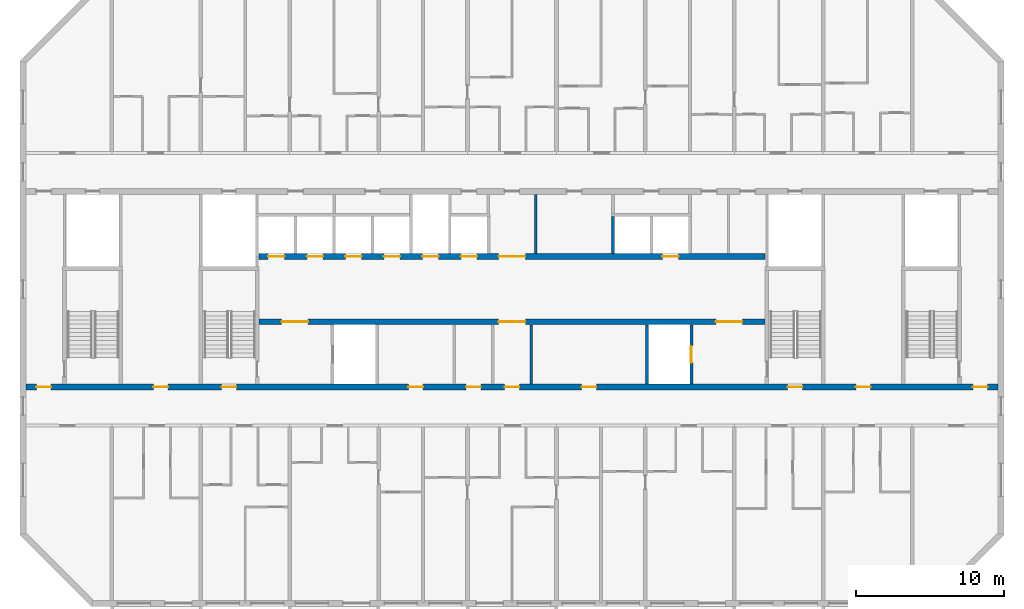
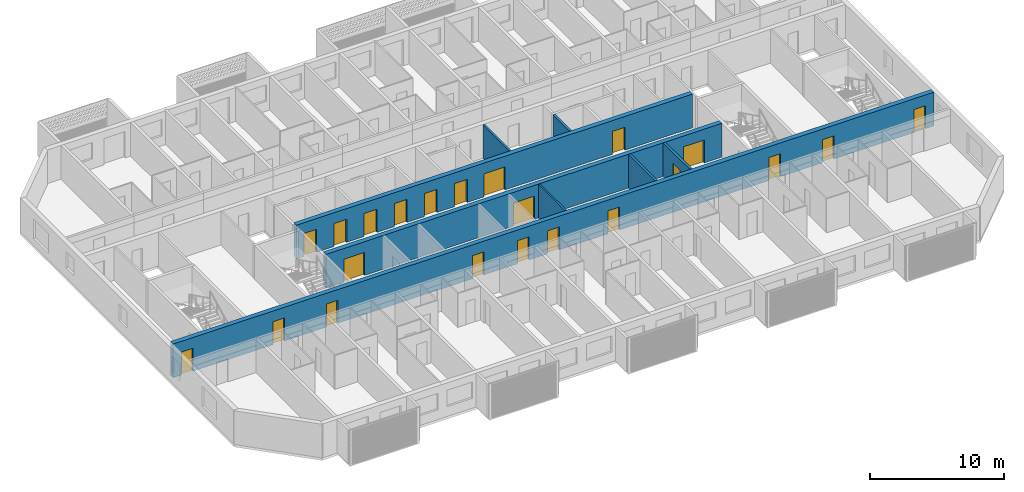
# One storey, part 6 of 26: 22 doors, 8 walls, 22 openings.
"""IFC4 building model written with IfcOpenShell, lengths in metres."""

from ifc_helpers import new_model, si_unit, direction, frame, frame_2d, origin, place, context, subcontext, project, spatial, rectangle, extrude, material, layer, layer_set, type_object, element, fill, save


model = new_model("IFC4")

# Units and contexts
model_context = context("Model", 3, precision=1e-05, world=origin(), true_north=direction((0.0, 1.0)))
body_context = subcontext(model_context, "Body", "Model", "MODEL_VIEW")
ifc_project = project(units=[si_unit("LENGTHUNIT", "METRE"), si_unit("AREAUNIT", "SQUARE_METRE"), si_unit("VOLUMEUNIT", "CUBIC_METRE"), si_unit("PLANEANGLEUNIT", "RADIAN"), si_unit("MASSUNIT", "GRAM", prefix="KILO")], contexts=[model_context])

# Site, building, storey
site_placement = place(None, origin())
site = spatial("IfcSite", under=ifc_project, at=site_placement, CompositionType="ELEMENT")
building_placement = place(site_placement, origin())
building = spatial("IfcBuilding", under=site, at=building_placement, Name="Poui Terraces", CompositionType="ELEMENT")
storey_placement = place(building_placement, frame((0.0, 0.0, 178.5)))
storey = spatial("IfcBuildingStorey", under=building, at=storey_placement, Name="L49", CompositionType="ELEMENT", Elevation=178.5)

# Wall, openings, doors
ifc_material_1 = material(Name="Concrete 50 MPa", Category="concrete")
ifc_layer_1 = layer(ifc_material_1, 0.39990234375)
ifc_layer_set_1 = layer_set([ifc_layer_1], Name="Concrete 50 MPa")
wall_type_1 = type_object("IfcWallType", Name="CORE WALL 400 50 MPA", PredefinedType="SOLIDWALL", material=ifc_layer_set_1)
wall_1_placement = place(storey_placement, frame((33.925048828125, 19.0, 0.0), z_axis=(0.0, 0.0, 1.0), x_axis=(1.0, 0.0, 0.0)))
wall_1 = element("IfcWall", 1, at=wall_1_placement, inside=storey, type_object=wall_type_1, Name="CORE WALL", PredefinedType="SOLIDWALL", context=body_context, shape_type="SweptSolid", body=[
    extrude(rectangle(XDim=34.14990234375, YDim=0.39990234375, at=frame_2d((17.074951171875, 0.0))), origin(), (0.0, 0.0, 1.0), 3.080078125),
])
opening_1_placement = place(wall_1_placement, frame((16.175048828125, 0.0, 0.0)))
opening_1 = element("IfcOpeningElement", 2, at=opening_1_placement, cuts=wall_1, Name="Opening FDD60", PredefinedType="OPENING", context=body_context, shape_type="SweptSolid", body=[
    extrude(rectangle(XDim=1.800048828125, YDim=2.10009765625, at=frame_2d((0.89990234375, 1.050048828125))), frame((0.0, 0.2099609375, 0.0), z_axis=(0.0, -1.0, 0.0), x_axis=(1.0, 0.0, 0.0)), (0.0, 0.0, 1.0), 0.419921875),
])
opening_2_placement = place(wall_1_placement, frame((1.52490234375, 0.0, 0.0)))
opening_2 = element("IfcOpeningElement", 3, at=opening_2_placement, cuts=wall_1, Name="Opening FDD60", PredefinedType="OPENING", context=body_context, shape_type="SweptSolid", body=[
    extrude(rectangle(XDim=1.800048828125, YDim=2.10009765625, at=frame_2d((0.89990234375, 1.050048828125))), frame((0.0, 0.2099609375, 0.0), z_axis=(0.0, -1.0, 0.0), x_axis=(1.0, 0.0, 0.0)), (0.0, 0.0, 1.0), 0.419921875),
])
opening_3_placement = place(wall_1_placement, frame((30.824951171875, 0.0, 0.0)))
opening_3 = element("IfcOpeningElement", 4, at=opening_3_placement, cuts=wall_1, Name="Opening FDD60", PredefinedType="OPENING", context=body_context, shape_type="SweptSolid", body=[
    extrude(rectangle(XDim=1.800048828125, YDim=2.10009765625, at=frame_2d((0.89990234375, 1.050048828125))), frame((0.0, 0.2099609375, 0.0), z_axis=(0.0, -1.0, 0.0), x_axis=(1.0, 0.0, 0.0)), (0.0, 0.0, 1.0), 0.419921875),
])
ifc_material_2 = material(Name="Steel fire door", Category="steel")
door_type_1 = type_object("IfcDoorType", Name="DOUBLE LOBBY FIRE DOOR 1800 X 2100", OperationType="DOUBLE_DOOR_SINGLE_SWING", PredefinedType="DOOR", material=ifc_material_2)
door_1_placement = place(opening_1_placement, frame((1.800048828125, 0.0, 0.0), z_axis=(0.0, 0.0, 1.0), x_axis=(-1.0, 0.0, 0.0)))
door_1 = element("IfcDoor", 5, at=door_1_placement, inside=storey, type_object=door_type_1, Name="DOUBLE LOBBY FIRE DOOR 100", OperationType="DOUBLE_DOOR_SINGLE_SWING", OverallHeight=2.10009765625, OverallWidth=1.800048828125, PredefinedType="DOOR", context=body_context, shape_type="SweptSolid", body=[
    extrude(rectangle(XDim=1.800048828125, YDim=2.10009765625, at=frame_2d((0.89990234375, 1.050048828125))), frame((0.0, 0.02490234375, 0.0), z_axis=(0.0, -1.0, 0.0), x_axis=(1.0, 0.0, 0.0)), (0.0, 0.0, 1.0), 0.050048828125),
])
fill(opening_1, door_1)
door_2_placement = place(opening_2_placement, origin())
door_2 = element("IfcDoor", 6, at=door_2_placement, inside=storey, type_object=door_type_1, Name="DOUBLE LOBBY FIRE DOOR 102", OperationType="DOUBLE_DOOR_SINGLE_SWING", OverallHeight=2.10009765625, OverallWidth=1.800048828125, PredefinedType="DOOR", context=body_context, shape_type="SweptSolid", body=[
    extrude(rectangle(XDim=1.800048828125, YDim=2.10009765625, at=frame_2d((0.89990234375, 1.050048828125))), frame((0.0, 0.02490234375, 0.0), z_axis=(0.0, -1.0, 0.0), x_axis=(1.0, 0.0, 0.0)), (0.0, 0.0, 1.0), 0.050048828125),
])
fill(opening_2, door_2)
door_3_placement = place(opening_3_placement, origin())
door_3 = element("IfcDoor", 7, at=door_3_placement, inside=storey, type_object=door_type_1, Name="DOUBLE LOBBY FIRE DOOR 109", OperationType="DOUBLE_DOOR_SINGLE_SWING", OverallHeight=2.10009765625, OverallWidth=1.800048828125, PredefinedType="DOOR", context=body_context, shape_type="SweptSolid", body=[
    extrude(rectangle(XDim=1.800048828125, YDim=2.10009765625, at=frame_2d((0.89990234375, 1.050048828125))), frame((0.0, 0.02490234375, 0.0), z_axis=(0.0, -1.0, 0.0), x_axis=(1.0, 0.0, 0.0)), (0.0, 0.0, 1.0), 0.050048828125),
])
fill(opening_3, door_3)

wall_2_placement = place(storey_placement, frame((33.925048828125, 23.39990234375, 0.0), z_axis=(0.0, 0.0, 1.0), x_axis=(1.0, 0.0, 0.0)))
wall_2 = element("IfcWall", 8, at=wall_2_placement, inside=storey, type_object=wall_type_1, Name="CORE WALL", PredefinedType="SOLIDWALL", context=body_context, shape_type="SweptSolid", body=[
    extrude(rectangle(XDim=34.14990234375, YDim=0.39990234375, at=frame_2d((17.074951171875, 0.0))), origin(), (0.0, 0.0, 1.0), 3.080078125),
])
opening_4_placement = place(wall_2_placement, frame((16.175048828125, 0.0, 0.0)))
opening_4 = element("IfcOpeningElement", 9, at=opening_4_placement, cuts=wall_2, Name="Opening FDD60", PredefinedType="OPENING", context=body_context, shape_type="SweptSolid", body=[
    extrude(rectangle(XDim=1.800048828125, YDim=2.10009765625, at=frame_2d((0.89990234375, 1.050048828125))), frame((0.0, 0.2099609375, 0.0), z_axis=(0.0, -1.0, 0.0), x_axis=(1.0, 0.0, 0.0)), (0.0, 0.0, 1.0), 0.419921875),
])
opening_5_placement = place(wall_2_placement, frame((0.625, 0.0, 0.0)))
opening_5 = element("IfcOpeningElement", 10, at=opening_5_placement, cuts=wall_2, Name="Opening LD", PredefinedType="OPENING", context=body_context, shape_type="SweptSolid", body=[
    extrude(rectangle(XDim=1.10009765625, YDim=2.10009765625, at=frame_2d((0.550048828125, 1.050048828125))), frame((0.0, 0.2099609375, 0.0), z_axis=(0.0, -1.0, 0.0), x_axis=(1.0, 0.0, 0.0)), (0.0, 0.0, 1.0), 0.419921875),
])
opening_6_placement = place(wall_2_placement, frame((3.22509765625, 0.0, 0.0)))
opening_6 = element("IfcOpeningElement", 11, at=opening_6_placement, cuts=wall_2, Name="Opening LD", PredefinedType="OPENING", context=body_context, shape_type="SweptSolid", body=[
    extrude(rectangle(XDim=1.10009765625, YDim=2.10009765625, at=frame_2d((0.550048828125, 1.050048828125))), frame((0.0, 0.2099609375, 0.0), z_axis=(0.0, -1.0, 0.0), x_axis=(1.0, 0.0, 0.0)), (0.0, 0.0, 1.0), 0.419921875),
])
opening_7_placement = place(wall_2_placement, frame((5.824951171875, 0.0, 0.0)))
opening_7 = element("IfcOpeningElement", 12, at=opening_7_placement, cuts=wall_2, Name="Opening LD", PredefinedType="OPENING", context=body_context, shape_type="SweptSolid", body=[
    extrude(rectangle(XDim=1.10009765625, YDim=2.10009765625, at=frame_2d((0.550048828125, 1.050048828125))), frame((0.0, 0.2099609375, 0.0), z_axis=(0.0, -1.0, 0.0), x_axis=(1.0, 0.0, 0.0)), (0.0, 0.0, 1.0), 0.419921875),
])
opening_8_placement = place(wall_2_placement, frame((8.425048828125, 0.0, 0.0)))
opening_8 = element("IfcOpeningElement", 13, at=opening_8_placement, cuts=wall_2, Name="Opening LD", PredefinedType="OPENING", context=body_context, shape_type="SweptSolid", body=[
    extrude(rectangle(XDim=1.10009765625, YDim=2.10009765625, at=frame_2d((0.550048828125, 1.050048828125))), frame((0.0, 0.2099609375, 0.0), z_axis=(0.0, -1.0, 0.0), x_axis=(1.0, 0.0, 0.0)), (0.0, 0.0, 1.0), 0.419921875),
])
opening_9_placement = place(wall_2_placement, frame((11.02490234375, 0.0, 0.0)))
opening_9 = element("IfcOpeningElement", 14, at=opening_9_placement, cuts=wall_2, Name="Opening LD", PredefinedType="OPENING", context=body_context, shape_type="SweptSolid", body=[
    extrude(rectangle(XDim=1.10009765625, YDim=2.10009765625, at=frame_2d((0.550048828125, 1.050048828125))), frame((0.0, 0.2099609375, 0.0), z_axis=(0.0, -1.0, 0.0), x_axis=(1.0, 0.0, 0.0)), (0.0, 0.0, 1.0), 0.419921875),
])
opening_10_placement = place(wall_2_placement, frame((13.625, 0.0, 0.0)))
opening_10 = element("IfcOpeningElement", 15, at=opening_10_placement, cuts=wall_2, Name="Opening LD", PredefinedType="OPENING", context=body_context, shape_type="SweptSolid", body=[
    extrude(rectangle(XDim=1.10009765625, YDim=2.10009765625, at=frame_2d((0.550048828125, 1.050048828125))), frame((0.0, 0.2099609375, 0.0), z_axis=(0.0, -1.0, 0.0), x_axis=(1.0, 0.0, 0.0)), (0.0, 0.0, 1.0), 0.419921875),
])
opening_11_placement = place(wall_2_placement, frame((27.22509765625, 0.0, 0.0)))
opening_11 = element("IfcOpeningElement", 16, at=opening_11_placement, cuts=wall_2, Name="Opening LD", PredefinedType="OPENING", context=body_context, shape_type="SweptSolid", body=[
    extrude(rectangle(XDim=1.10009765625, YDim=2.10009765625, at=frame_2d((0.550048828125, 1.050048828125))), frame((0.0, 0.2099609375, 0.0), z_axis=(0.0, -1.0, 0.0), x_axis=(1.0, 0.0, 0.0)), (0.0, 0.0, 1.0), 0.419921875),
])
door_4_placement = place(opening_4_placement, origin())
door_4 = element("IfcDoor", 17, at=door_4_placement, inside=storey, type_object=door_type_1, Name="DOUBLE LOBBY FIRE DOOR 099", OperationType="DOUBLE_DOOR_SINGLE_SWING", OverallHeight=2.10009765625, OverallWidth=1.800048828125, PredefinedType="DOOR", context=body_context, shape_type="SweptSolid", body=[
    extrude(rectangle(XDim=1.800048828125, YDim=2.10009765625, at=frame_2d((0.89990234375, 1.050048828125))), frame((0.0, 0.02490234375, 0.0), z_axis=(0.0, -1.0, 0.0), x_axis=(1.0, 0.0, 0.0)), (0.0, 0.0, 1.0), 0.050048828125),
])
fill(opening_4, door_4)
ifc_material_3 = material(Name="Stainless steel sliding door", Category="steel")
door_type_2 = type_object("IfcDoorType", Name="LIFT LANDING DOOR 1100 X 2100", OperationType="DOUBLE_DOOR_SLIDING", PredefinedType="DOOR", material=ifc_material_3)
door_5_placement = place(opening_5_placement, origin())
door_5 = element("IfcDoor", 18, at=door_5_placement, inside=storey, type_object=door_type_2, Name="LANDING DOOR", OperationType="DOUBLE_DOOR_SLIDING", OverallHeight=2.10009765625, OverallWidth=1.10009765625, PredefinedType="DOOR", context=body_context, shape_type="SweptSolid", body=[
    extrude(rectangle(XDim=1.10009765625, YDim=2.10009765625, at=frame_2d((0.550048828125, 1.050048828125))), frame((0.0, 0.02490234375, 0.0), z_axis=(0.0, -1.0, 0.0), x_axis=(1.0, 0.0, 0.0)), (0.0, 0.0, 1.0), 0.050048828125),
])
fill(opening_5, door_5)
door_6_placement = place(opening_6_placement, origin())
door_6 = element("IfcDoor", 19, at=door_6_placement, inside=storey, type_object=door_type_2, Name="LANDING DOOR", OperationType="DOUBLE_DOOR_SLIDING", OverallHeight=2.10009765625, OverallWidth=1.10009765625, PredefinedType="DOOR", context=body_context, shape_type="SweptSolid", body=[
    extrude(rectangle(XDim=1.10009765625, YDim=2.10009765625, at=frame_2d((0.550048828125, 1.050048828125))), frame((0.0, 0.02490234375, 0.0), z_axis=(0.0, -1.0, 0.0), x_axis=(1.0, 0.0, 0.0)), (0.0, 0.0, 1.0), 0.050048828125),
])
fill(opening_6, door_6)
door_7_placement = place(opening_7_placement, origin())
door_7 = element("IfcDoor", 20, at=door_7_placement, inside=storey, type_object=door_type_2, Name="LANDING DOOR", OperationType="DOUBLE_DOOR_SLIDING", OverallHeight=2.10009765625, OverallWidth=1.10009765625, PredefinedType="DOOR", context=body_context, shape_type="SweptSolid", body=[
    extrude(rectangle(XDim=1.10009765625, YDim=2.10009765625, at=frame_2d((0.550048828125, 1.050048828125))), frame((0.0, 0.02490234375, 0.0), z_axis=(0.0, -1.0, 0.0), x_axis=(1.0, 0.0, 0.0)), (0.0, 0.0, 1.0), 0.050048828125),
])
fill(opening_7, door_7)
door_8_placement = place(opening_8_placement, origin())
door_8 = element("IfcDoor", 21, at=door_8_placement, inside=storey, type_object=door_type_2, Name="LANDING DOOR", OperationType="DOUBLE_DOOR_SLIDING", OverallHeight=2.10009765625, OverallWidth=1.10009765625, PredefinedType="DOOR", context=body_context, shape_type="SweptSolid", body=[
    extrude(rectangle(XDim=1.10009765625, YDim=2.10009765625, at=frame_2d((0.550048828125, 1.050048828125))), frame((0.0, 0.02490234375, 0.0), z_axis=(0.0, -1.0, 0.0), x_axis=(1.0, 0.0, 0.0)), (0.0, 0.0, 1.0), 0.050048828125),
])
fill(opening_8, door_8)
door_9_placement = place(opening_9_placement, origin())
door_9 = element("IfcDoor", 22, at=door_9_placement, inside=storey, type_object=door_type_2, Name="LANDING DOOR", OperationType="DOUBLE_DOOR_SLIDING", OverallHeight=2.10009765625, OverallWidth=1.10009765625, PredefinedType="DOOR", context=body_context, shape_type="SweptSolid", body=[
    extrude(rectangle(XDim=1.10009765625, YDim=2.10009765625, at=frame_2d((0.550048828125, 1.050048828125))), frame((0.0, 0.02490234375, 0.0), z_axis=(0.0, -1.0, 0.0), x_axis=(1.0, 0.0, 0.0)), (0.0, 0.0, 1.0), 0.050048828125),
])
fill(opening_9, door_9)
door_10_placement = place(opening_10_placement, origin())
door_10 = element("IfcDoor", 23, at=door_10_placement, inside=storey, type_object=door_type_2, Name="LANDING DOOR", OperationType="DOUBLE_DOOR_SLIDING", OverallHeight=2.10009765625, OverallWidth=1.10009765625, PredefinedType="DOOR", context=body_context, shape_type="SweptSolid", body=[
    extrude(rectangle(XDim=1.10009765625, YDim=2.10009765625, at=frame_2d((0.550048828125, 1.050048828125))), frame((0.0, 0.02490234375, 0.0), z_axis=(0.0, -1.0, 0.0), x_axis=(1.0, 0.0, 0.0)), (0.0, 0.0, 1.0), 0.050048828125),
])
fill(opening_10, door_10)
door_11_placement = place(opening_11_placement, origin())
door_11 = element("IfcDoor", 24, at=door_11_placement, inside=storey, type_object=door_type_2, Name="LANDING DOOR", OperationType="DOUBLE_DOOR_SLIDING", OverallHeight=2.10009765625, OverallWidth=1.10009765625, PredefinedType="DOOR", context=body_context, shape_type="SweptSolid", body=[
    extrude(rectangle(XDim=1.10009765625, YDim=2.10009765625, at=frame_2d((0.550048828125, 1.050048828125))), frame((0.0, 0.02490234375, 0.0), z_axis=(0.0, -1.0, 0.0), x_axis=(1.0, 0.0, 0.0)), (0.0, 0.0, 1.0), 0.050048828125),
])
fill(opening_11, door_11)

# Walls
ifc_material_4 = material(Name="Fire-rated plasterboard wall")
ifc_layer_2 = layer(ifc_material_4, 0.14990234375)
ifc_layer_set_2 = layer_set([ifc_layer_2], Name="Fire-rated plasterboard wall")
wall_type_2 = type_object("IfcWallType", Name="CORRIDOR WALL 150", PredefinedType="PARTITIONING", material=ifc_layer_set_2)
for number, where, z_axis, x_axis, name in (
    (25, (52.300048828125, 14.81005859375, 0.0), (0.0, 0.0, 1.0), (0.0, 1.0, 0.0), "CORRIDOR WALL 150"),
    (26, (52.60009765625, 23.610107421875, 0.0), (0.0, 0.0, 1.0), (0.0, 1.0, 0.0), "CORRIDOR WALL 150"),
):
    element("IfcWall", number, at=place(storey_placement, frame(where, z_axis=z_axis, x_axis=x_axis)), inside=storey, type_object=wall_type_2, Name=name, PredefinedType="PARTITIONING", context=body_context, shape_type="SweptSolid", body=[
        extrude(rectangle(XDim=3.97998046875, YDim=0.14990234375, at=frame_2d((1.989990234375, 0.0))), origin(), (0.0, 0.0, 1.0), 3.080078125),
    ])
ifc_material_5 = material(Name="Fire-rated masonry shaft wall", Category="masonry")
ifc_layer_3 = layer(ifc_material_5, 0.199951171875)
ifc_layer_set_3 = layer_set([ifc_layer_3], Name="Fire-rated masonry shaft wall")
wall_type_3 = type_object("IfcWallType", Name="SHAFT WALL 200", PredefinedType="PARTITIONING", material=ifc_layer_set_3)
wall_3_placement = place(storey_placement, frame((57.800048828125, 23.610107421875, 0.0), z_axis=(0.0, 0.0, 1.0), x_axis=(0.0, 1.0, 0.0)))
element("IfcWall", 27, at=wall_3_placement, inside=storey, type_object=wall_type_3, Name="SHAFT WALL 200", PredefinedType="PARTITIONING", context=body_context, shape_type="SweptSolid", body=[
    extrude(rectangle(XDim=2.489990234375, YDim=0.199951171875, at=frame_2d((1.2451171875, 0.0))), origin(), (0.0, 0.0, 1.0), 3.080078125),
])
wall_4_placement = place(storey_placement, frame((60.10009765625, 14.81005859375, 0.0), z_axis=(0.0, 0.0, 1.0), x_axis=(0.0, 1.0, 0.0)))
element("IfcWall", 28, at=wall_4_placement, inside=storey, type_object=wall_type_3, Name="SHAFT WALL 200", PredefinedType="PARTITIONING", context=body_context, shape_type="SweptSolid", body=[
    extrude(rectangle(XDim=3.97998046875, YDim=0.199951171875, at=frame_2d((1.989990234375, 0.0))), origin(), (0.0, 0.0, 1.0), 3.080078125),
])

# Wall, opening, door
wall_5_placement = place(storey_placement, frame((63.10009765625, 14.81005859375, 0.0), z_axis=(0.0, 0.0, 1.0), x_axis=(0.0, 1.0, 0.0)))
wall_5 = element("IfcWall", 29, at=wall_5_placement, inside=storey, type_object=wall_type_3, Name="SHAFT WALL 200", PredefinedType="PARTITIONING", context=body_context, shape_type="SweptSolid", body=[
    extrude(rectangle(XDim=3.97998046875, YDim=0.199951171875, at=frame_2d((1.989990234375, 0.0))), origin(), (0.0, 0.0, 1.0), 3.080078125),
])
opening_12_placement = place(wall_5_placement, frame((1.43994140625, 0.0, 0.0)))
opening_12 = element("IfcOpeningElement", 30, at=opening_12_placement, cuts=wall_5, Name="Opening LD", PredefinedType="OPENING", context=body_context, shape_type="SweptSolid", body=[
    extrude(rectangle(XDim=1.10009765625, YDim=2.10009765625, at=frame_2d((0.550048828125, 1.050048828125))), frame((0.0, 0.10986328125, 0.0), z_axis=(0.0, -1.0, 0.0), x_axis=(1.0, 0.0, 0.0)), (0.0, 0.0, 1.0), 0.219970703125),
])
door_12_placement = place(opening_12_placement, origin())
door_12 = element("IfcDoor", 31, at=door_12_placement, inside=storey, type_object=door_type_2, Name="LANDING DOOR", OperationType="DOUBLE_DOOR_SLIDING", OverallHeight=2.10009765625, OverallWidth=1.10009765625, PredefinedType="DOOR", context=body_context, shape_type="SweptSolid", body=[
    extrude(rectangle(XDim=1.10009765625, YDim=2.10009765625, at=frame_2d((0.550048828125, 1.050048828125))), frame((0.0, 0.02490234375, 0.0), z_axis=(0.0, -1.0, 0.0), x_axis=(1.0, 0.0, 0.0)), (0.0, 0.0, 1.0), 0.050048828125),
])
fill(opening_12, door_12)

# Wall, openings, doors
ifc_layer_4 = layer(ifc_material_1, 0.39990234375)
ifc_layer_set_4 = layer_set([ifc_layer_4], Name="Concrete 50 MPa")
wall_type_4 = type_object("IfcWallType", Name="SPINE WALL 400 50 MPA", PredefinedType="SOLIDWALL", material=ifc_layer_set_4)
wall_6_placement = place(storey_placement, frame((18.199951171875, 14.60009765625, 0.0), z_axis=(0.0, 0.0, 1.0), x_axis=(1.0, 0.0, 0.0)))
wall_6 = element("IfcWall", 32, at=wall_6_placement, inside=storey, type_object=wall_type_4, Name="SPINE WALL", PredefinedType="SOLIDWALL", context=body_context, shape_type="SweptSolid", body=[
    extrude(rectangle(XDim=65.60009765625, YDim=0.39990234375, at=frame_2d((32.800048828125, 0.0))), origin(), (0.0, 0.0, 1.0), 3.080078125),
])
opening_13_placement = place(wall_6_placement, frame((0.699951171875, 0.0, 0.0)))
opening_13 = element("IfcOpeningElement", 33, at=opening_13_placement, cuts=wall_6, Name="Opening FDL", PredefinedType="OPENING", context=body_context, shape_type="SweptSolid", body=[
    extrude(rectangle(XDim=1.0, YDim=2.10009765625, at=frame_2d((0.5, 1.050048828125))), frame((0.0, 0.2099609375, 0.0), z_axis=(0.0, -1.0, 0.0), x_axis=(1.0, 0.0, 0.0)), (0.0, 0.0, 1.0), 0.419921875),
])
opening_14_placement = place(wall_6_placement, frame((8.60009765625, 0.0, 0.0)))
opening_14 = element("IfcOpeningElement", 34, at=opening_14_placement, cuts=wall_6, Name="Opening D100", PredefinedType="OPENING", context=body_context, shape_type="SweptSolid", body=[
    extrude(rectangle(XDim=1.0, YDim=2.10009765625, at=frame_2d((0.5, 1.050048828125))), frame((0.0, 0.2099609375, 0.0), z_axis=(0.0, -1.0, 0.0), x_axis=(1.0, 0.0, 0.0)), (0.0, 0.0, 1.0), 0.419921875),
])
opening_15_placement = place(wall_6_placement, frame((13.199951171875, 0.0, 0.0)))
opening_15 = element("IfcOpeningElement", 35, at=opening_15_placement, cuts=wall_6, Name="Opening FD60S", PredefinedType="OPENING", context=body_context, shape_type="SweptSolid", body=[
    extrude(rectangle(XDim=1.0, YDim=2.10009765625, at=frame_2d((0.5, 1.050048828125))), frame((0.0, 0.2099609375, 0.0), z_axis=(0.0, -1.0, 0.0), x_axis=(1.0, 0.0, 0.0)), (0.0, 0.0, 1.0), 0.419921875),
])
opening_16_placement = place(wall_6_placement, frame((25.800048828125, 0.0, 0.0)))
opening_16 = element("IfcOpeningElement", 36, at=opening_16_placement, cuts=wall_6, Name="Opening FD60", PredefinedType="OPENING", context=body_context, shape_type="SweptSolid", body=[
    extrude(rectangle(XDim=1.0, YDim=2.10009765625, at=frame_2d((0.5, 1.050048828125))), frame((0.0, 0.2099609375, 0.0), z_axis=(0.0, -1.0, 0.0), x_axis=(1.0, 0.0, 0.0)), (0.0, 0.0, 1.0), 0.419921875),
])
opening_17_placement = place(wall_6_placement, frame((29.699951171875, 0.0, 0.0)))
opening_17 = element("IfcOpeningElement", 37, at=opening_17_placement, cuts=wall_6, Name="Opening FD60", PredefinedType="OPENING", context=body_context, shape_type="SweptSolid", body=[
    extrude(rectangle(XDim=1.0, YDim=2.10009765625, at=frame_2d((0.5, 1.050048828125))), frame((0.0, 0.2099609375, 0.0), z_axis=(0.0, -1.0, 0.0), x_axis=(1.0, 0.0, 0.0)), (0.0, 0.0, 1.0), 0.419921875),
])
opening_18_placement = place(wall_6_placement, frame((32.300048828125, 0.0, 0.0)))
opening_18 = element("IfcOpeningElement", 38, at=opening_18_placement, cuts=wall_6, Name="Opening FDL", PredefinedType="OPENING", context=body_context, shape_type="SweptSolid", body=[
    extrude(rectangle(XDim=1.0, YDim=2.10009765625, at=frame_2d((0.5, 1.050048828125))), frame((0.0, 0.2099609375, 0.0), z_axis=(0.0, -1.0, 0.0), x_axis=(1.0, 0.0, 0.0)), (0.0, 0.0, 1.0), 0.419921875),
])
opening_19_placement = place(wall_6_placement, frame((37.5, 0.0, 0.0)))
opening_19 = element("IfcOpeningElement", 39, at=opening_19_placement, cuts=wall_6, Name="Opening FD60", PredefinedType="OPENING", context=body_context, shape_type="SweptSolid", body=[
    extrude(rectangle(XDim=1.0, YDim=2.10009765625, at=frame_2d((0.5, 1.050048828125))), frame((0.0, 0.2099609375, 0.0), z_axis=(0.0, -1.0, 0.0), x_axis=(1.0, 0.0, 0.0)), (0.0, 0.0, 1.0), 0.419921875),
])
opening_20_placement = place(wall_6_placement, frame((51.39990234375, 0.0, 0.0)))
opening_20 = element("IfcOpeningElement", 40, at=opening_20_placement, cuts=wall_6, Name="Opening FD60S", PredefinedType="OPENING", context=body_context, shape_type="SweptSolid", body=[
    extrude(rectangle(XDim=1.0, YDim=2.10009765625, at=frame_2d((0.5, 1.050048828125))), frame((0.0, 0.2099609375, 0.0), z_axis=(0.0, -1.0, 0.0), x_axis=(1.0, 0.0, 0.0)), (0.0, 0.0, 1.0), 0.419921875),
])
opening_21_placement = place(wall_6_placement, frame((56.0, 0.0, 0.0)))
opening_21 = element("IfcOpeningElement", 41, at=opening_21_placement, cuts=wall_6, Name="Opening D100", PredefinedType="OPENING", context=body_context, shape_type="SweptSolid", body=[
    extrude(rectangle(XDim=1.0, YDim=2.10009765625, at=frame_2d((0.5, 1.050048828125))), frame((0.0, 0.2099609375, 0.0), z_axis=(0.0, -1.0, 0.0), x_axis=(1.0, 0.0, 0.0)), (0.0, 0.0, 1.0), 0.419921875),
])
opening_22_placement = place(wall_6_placement, frame((63.89990234375, 0.0, 0.0)))
opening_22 = element("IfcOpeningElement", 42, at=opening_22_placement, cuts=wall_6, Name="Opening FDL", PredefinedType="OPENING", context=body_context, shape_type="SweptSolid", body=[
    extrude(rectangle(XDim=1.0, YDim=2.10009765625, at=frame_2d((0.5, 1.050048828125))), frame((0.0, 0.2099609375, 0.0), z_axis=(0.0, -1.0, 0.0), x_axis=(1.0, 0.0, 0.0)), (0.0, 0.0, 1.0), 0.419921875),
])
ifc_material_6 = material(Name="Solid core timber door", Category="wood")
door_type_3 = type_object("IfcDoorType", Name="ACCESSIBLE INTERNAL DOOR 1000 X 2100", OperationType="NOTDEFINED", PredefinedType="DOOR", material=ifc_material_6)
door_13_placement = place(opening_14_placement, frame((1.0, 0.0, 0.0), z_axis=(0.0, 0.0, 1.0), x_axis=(-1.0, 0.0, 0.0)))
door_13 = element("IfcDoor", 43, at=door_13_placement, inside=storey, type_object=door_type_3, Name="ACCESSIBLE INTERNAL DOOR 016", OperationType="SINGLE_SWING_LEFT", OverallHeight=2.10009765625, OverallWidth=1.0, PredefinedType="DOOR", context=body_context, shape_type="SweptSolid", body=[
    extrude(rectangle(XDim=1.0, YDim=2.10009765625, at=frame_2d((0.5, 1.050048828125))), frame((0.0, 0.02490234375, 0.0), z_axis=(0.0, -1.0, 0.0), x_axis=(1.0, 0.0, 0.0)), (0.0, 0.0, 1.0), 0.050048828125),
])
fill(opening_14, door_13)
door_14_placement = place(opening_21_placement, frame((1.0, 0.0, 0.0), z_axis=(0.0, 0.0, 1.0), x_axis=(-1.0, 0.0, 0.0)))
door_14 = element("IfcDoor", 44, at=door_14_placement, inside=storey, type_object=door_type_3, Name="ACCESSIBLE INTERNAL DOOR 023", OperationType="SINGLE_SWING_RIGHT", OverallHeight=2.10009765625, OverallWidth=1.0, PredefinedType="DOOR", context=body_context, shape_type="SweptSolid", body=[
    extrude(rectangle(XDim=1.0, YDim=2.10009765625, at=frame_2d((0.5, 1.050048828125))), frame((0.0, 0.02490234375, 0.0), z_axis=(0.0, -1.0, 0.0), x_axis=(1.0, 0.0, 0.0)), (0.0, 0.0, 1.0), 0.050048828125),
])
fill(opening_21, door_14)
door_type_4 = type_object("IfcDoorType", Name="LOBBY FIRE DOOR 1000 X 2100", OperationType="NOTDEFINED", PredefinedType="DOOR", material=ifc_material_2)
door_15_placement = place(opening_13_placement, frame((1.0, 0.0, 0.0), z_axis=(0.0, 0.0, 1.0), x_axis=(-1.0, 0.0, 0.0)))
door_15 = element("IfcDoor", 45, at=door_15_placement, inside=storey, type_object=door_type_4, Name="LOBBY FIRE DOOR 015", OperationType="SINGLE_SWING_RIGHT", OverallHeight=2.10009765625, OverallWidth=1.0, PredefinedType="DOOR", context=body_context, shape_type="SweptSolid", body=[
    extrude(rectangle(XDim=1.0, YDim=2.10009765625, at=frame_2d((0.5, 1.050048828125))), frame((0.0, 0.02490234375, 0.0), z_axis=(0.0, -1.0, 0.0), x_axis=(1.0, 0.0, 0.0)), (0.0, 0.0, 1.0), 0.050048828125),
])
fill(opening_13, door_15)
door_16_placement = place(opening_18_placement, frame((1.0, 0.0, 0.0), z_axis=(0.0, 0.0, 1.0), x_axis=(-1.0, 0.0, 0.0)))
door_16 = element("IfcDoor", 46, at=door_16_placement, inside=storey, type_object=door_type_4, Name="LOBBY FIRE DOOR 020", OperationType="SINGLE_SWING_LEFT", OverallHeight=2.10009765625, OverallWidth=1.0, PredefinedType="DOOR", context=body_context, shape_type="SweptSolid", body=[
    extrude(rectangle(XDim=1.0, YDim=2.10009765625, at=frame_2d((0.5, 1.050048828125))), frame((0.0, 0.02490234375, 0.0), z_axis=(0.0, -1.0, 0.0), x_axis=(1.0, 0.0, 0.0)), (0.0, 0.0, 1.0), 0.050048828125),
])
fill(opening_18, door_16)
door_17_placement = place(opening_22_placement, frame((1.0, 0.0, 0.0), z_axis=(0.0, 0.0, 1.0), x_axis=(-1.0, 0.0, 0.0)))
door_17 = element("IfcDoor", 47, at=door_17_placement, inside=storey, type_object=door_type_4, Name="LOBBY FIRE DOOR 024", OperationType="SINGLE_SWING_LEFT", OverallHeight=2.10009765625, OverallWidth=1.0, PredefinedType="DOOR", context=body_context, shape_type="SweptSolid", body=[
    extrude(rectangle(XDim=1.0, YDim=2.10009765625, at=frame_2d((0.5, 1.050048828125))), frame((0.0, 0.02490234375, 0.0), z_axis=(0.0, -1.0, 0.0), x_axis=(1.0, 0.0, 0.0)), (0.0, 0.0, 1.0), 0.050048828125),
])
fill(opening_22, door_17)
door_type_5 = type_object("IfcDoorType", Name="SERVICE ROOM FIRE DOOR 1000 X 2100", OperationType="NOTDEFINED", PredefinedType="DOOR", material=ifc_material_2)
door_18_placement = place(opening_16_placement, frame((1.0, 0.0, 0.0), z_axis=(0.0, 0.0, 1.0), x_axis=(-1.0, 0.0, 0.0)))
door_18 = element("IfcDoor", 48, at=door_18_placement, inside=storey, type_object=door_type_5, Name="SERVICE ROOM FIRE DOOR 018", OperationType="SINGLE_SWING_LEFT", OverallHeight=2.10009765625, OverallWidth=1.0, PredefinedType="DOOR", context=body_context, shape_type="SweptSolid", body=[
    extrude(rectangle(XDim=1.0, YDim=2.10009765625, at=frame_2d((0.5, 1.050048828125))), frame((0.0, 0.02490234375, 0.0), z_axis=(0.0, -1.0, 0.0), x_axis=(1.0, 0.0, 0.0)), (0.0, 0.0, 1.0), 0.050048828125),
])
fill(opening_16, door_18)
door_19_placement = place(opening_17_placement, frame((1.0, 0.0, 0.0), z_axis=(0.0, 0.0, 1.0), x_axis=(-1.0, 0.0, 0.0)))
door_19 = element("IfcDoor", 49, at=door_19_placement, inside=storey, type_object=door_type_5, Name="SERVICE ROOM FIRE DOOR 019", OperationType="SINGLE_SWING_RIGHT", OverallHeight=2.10009765625, OverallWidth=1.0, PredefinedType="DOOR", context=body_context, shape_type="SweptSolid", body=[
    extrude(rectangle(XDim=1.0, YDim=2.10009765625, at=frame_2d((0.5, 1.050048828125))), frame((0.0, 0.02490234375, 0.0), z_axis=(0.0, -1.0, 0.0), x_axis=(1.0, 0.0, 0.0)), (0.0, 0.0, 1.0), 0.050048828125),
])
fill(opening_17, door_19)
door_20_placement = place(opening_19_placement, frame((1.0, 0.0, 0.0), z_axis=(0.0, 0.0, 1.0), x_axis=(-1.0, 0.0, 0.0)))
door_20 = element("IfcDoor", 50, at=door_20_placement, inside=storey, type_object=door_type_5, Name="SERVICE ROOM FIRE DOOR 021", OperationType="SINGLE_SWING_LEFT", OverallHeight=2.10009765625, OverallWidth=1.0, PredefinedType="DOOR", context=body_context, shape_type="SweptSolid", body=[
    extrude(rectangle(XDim=1.0, YDim=2.10009765625, at=frame_2d((0.5, 1.050048828125))), frame((0.0, 0.02490234375, 0.0), z_axis=(0.0, -1.0, 0.0), x_axis=(1.0, 0.0, 0.0)), (0.0, 0.0, 1.0), 0.050048828125),
])
fill(opening_19, door_20)
door_type_6 = type_object("IfcDoorType", Name="STAIR DOOR 1000 X 2100", OperationType="NOTDEFINED", PredefinedType="DOOR", material=ifc_material_2)
door_21_placement = place(opening_15_placement, origin())
door_21 = element("IfcDoor", 51, at=door_21_placement, inside=storey, type_object=door_type_6, Name="STAIR DOOR 017", OperationType="SINGLE_SWING_RIGHT", OverallHeight=2.10009765625, OverallWidth=1.0, PredefinedType="DOOR", context=body_context, shape_type="SweptSolid", body=[
    extrude(rectangle(XDim=1.0, YDim=2.10009765625, at=frame_2d((0.5, 1.050048828125))), frame((0.0, 0.02490234375, 0.0), z_axis=(0.0, -1.0, 0.0), x_axis=(1.0, 0.0, 0.0)), (0.0, 0.0, 1.0), 0.050048828125),
])
fill(opening_15, door_21)
door_22_placement = place(opening_20_placement, origin())
door_22 = element("IfcDoor", 52, at=door_22_placement, inside=storey, type_object=door_type_6, Name="STAIR DOOR 022", OperationType="SINGLE_SWING_RIGHT", OverallHeight=2.10009765625, OverallWidth=1.0, PredefinedType="DOOR", context=body_context, shape_type="SweptSolid", body=[
    extrude(rectangle(XDim=1.0, YDim=2.10009765625, at=frame_2d((0.5, 1.050048828125))), frame((0.0, 0.02490234375, 0.0), z_axis=(0.0, -1.0, 0.0), x_axis=(1.0, 0.0, 0.0)), (0.0, 0.0, 1.0), 0.050048828125),
])
fill(opening_20, door_22)

save(model, "model.ifc")
